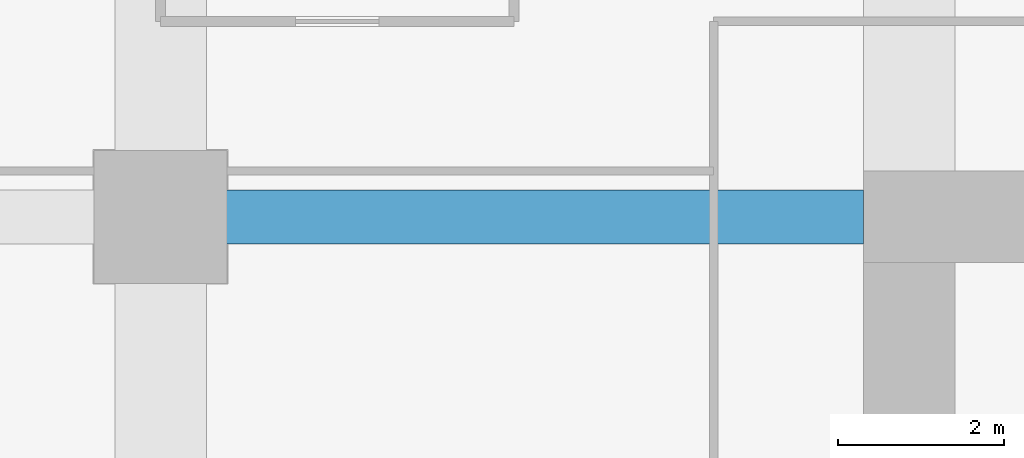
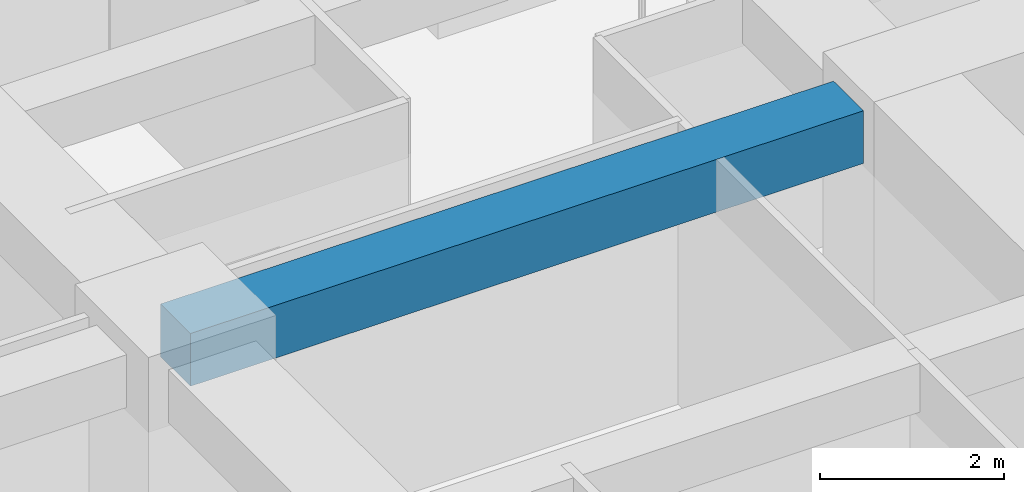
# One storey, part 21 of 33: 1 beam.
"""IFC4 building model written with IfcOpenShell, lengths in metres."""

from ifc_helpers import new_model, si_unit, direction, frame, origin, origin_2d, place, context, subcontext, project, spatial, rectangle, extrude, material, material_profile, profile_set, type_object, element, save


model = new_model("IFC4")

# Units and contexts
model_context = context("Model", 3, precision=1e-05, world=origin(), true_north=direction((0.0, 1.0)))
body_context = subcontext(model_context, "Body", "Model", "MODEL_VIEW")
ifc_project = project(units=[si_unit("LENGTHUNIT", "METRE"), si_unit("AREAUNIT", "SQUARE_METRE"), si_unit("VOLUMEUNIT", "CUBIC_METRE"), si_unit("PLANEANGLEUNIT", "RADIAN"), si_unit("MASSUNIT", "GRAM", prefix="KILO")], contexts=[model_context])

# Site, building, storey
site_placement = place(None, origin())
site = spatial("IfcSite", under=ifc_project, at=site_placement, CompositionType="ELEMENT")
building_placement = place(site_placement, origin())
building = spatial("IfcBuilding", under=site, at=building_placement, Name="Zorevar Civic Tower", CompositionType="ELEMENT")
storey_placement = place(building_placement, frame((0.0, 0.0, 194.199951171875)))
storey = spatial("IfcBuildingStorey", under=building, at=storey_placement, Name="L47", CompositionType="ELEMENT", Elevation=194.199951171875)

# Beam
ifc_material = material(Name="Concrete C50/60", Category="concrete")
ifc_material_profile = material_profile(ifc_material, rectangle(XDim=0.64990234375, YDim=0.699951171875, at=origin_2d()), Name="RC 650x700")
ifc_profile_set = profile_set([ifc_material_profile], Name="Concrete C50/60")
beam_type = type_object("IfcBeamType", Name="Beam RC 650x700", PredefinedType="BEAM", material=ifc_profile_set)
beam_placement = place(storey_placement, frame((9.0, 36.0, 3.400146484375), z_axis=(1.0, 0.0, 0.0), x_axis=(0.0, 1.0, 0.0)))
element("IfcBeam", 1, at=beam_placement, inside=storey, type_object=beam_type, Name="Girder L48", PredefinedType="BEAM", context=body_context, shape_type="SweptSolid", body=[
    extrude(rectangle(XDim=0.64990234375, YDim=0.699951171875, at=origin_2d()), origin(), (0.0, 0.0, 1.0), 8.449951171875),
])

save(model, "model.ifc")
